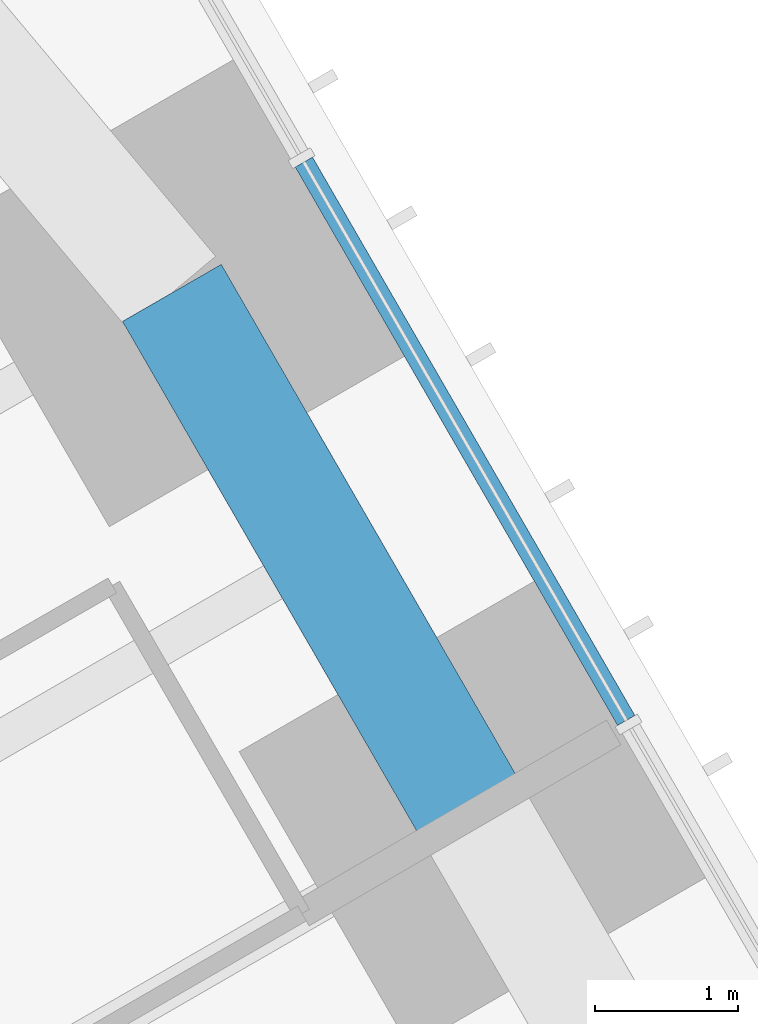
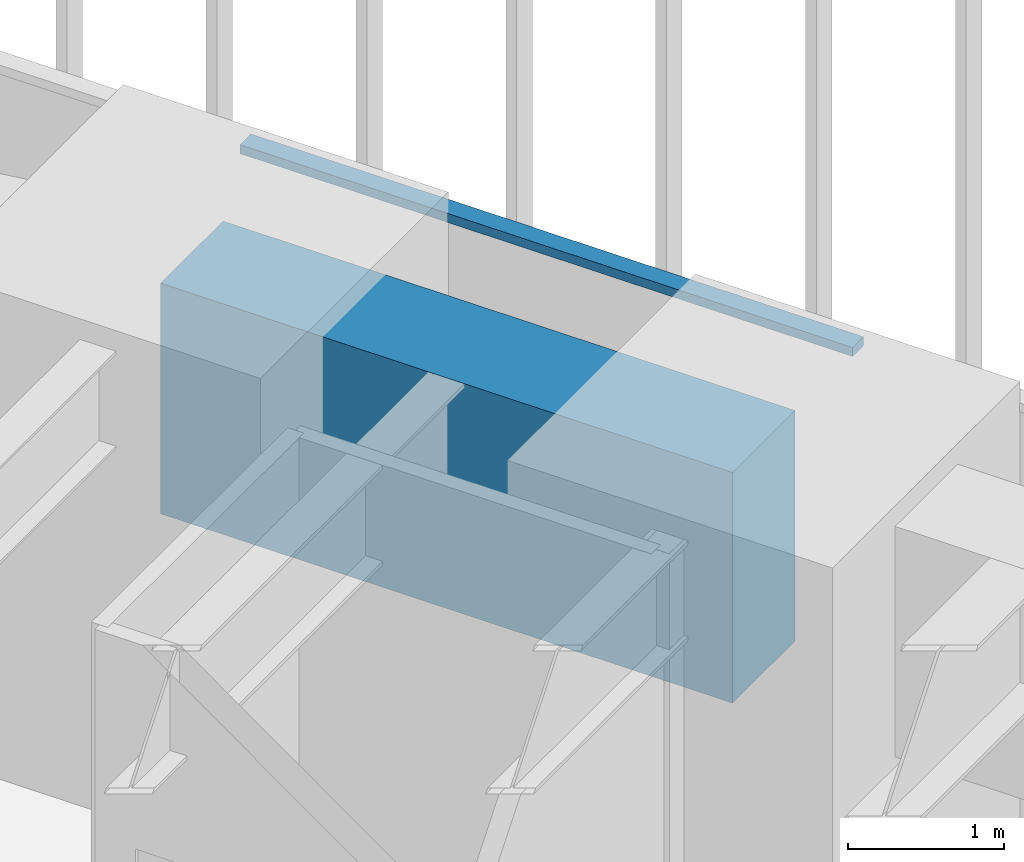
# One storey, part 200 of 256: 1 beam, 1 member, 1 element without a shape of its own.
"""IFC4 building model written with IfcOpenShell, lengths in metres."""

from ifc_helpers import new_model, si_unit, direction, frame, origin, origin_2d, place, context, subcontext, project, spatial, rectangle, extrude, material, material_profile, profile_set, type_object, element, aggregate, save


model = new_model("IFC4")

# Units and contexts
model_context = context("Model", 3, precision=1e-05, world=origin(), true_north=direction((0.0, 1.0)))
body_context = subcontext(model_context, "Body", "Model", "MODEL_VIEW")
ifc_project = project(units=[si_unit("LENGTHUNIT", "METRE"), si_unit("AREAUNIT", "SQUARE_METRE"), si_unit("VOLUMEUNIT", "CUBIC_METRE"), si_unit("PLANEANGLEUNIT", "RADIAN"), si_unit("MASSUNIT", "GRAM", prefix="KILO")], contexts=[model_context])

# Site, building, storey
site_placement = place(None, origin())
site = spatial("IfcSite", under=ifc_project, at=site_placement, CompositionType="ELEMENT")
building_placement = place(site_placement, origin())
building = spatial("IfcBuilding", under=site, at=building_placement, Name="Sandreach Pilgrim Tower", CompositionType="ELEMENT")
storey_placement = place(building_placement, frame((0.0, 0.0, 23.0)))
storey = spatial("IfcBuildingStorey", under=building, at=storey_placement, Name="L04", CompositionType="ELEMENT", Elevation=23.0)

# Curtain wall, member
ifc_material_1 = material(Name="Aluminium framed curtain wall", Category="aluminium")
curtain_wall_type = type_object("IfcCurtainWallType", Name="Hostel tower curtain wall", PredefinedType="NOTDEFINED", material=ifc_material_1)
curtain_wall_placement = place(storey_placement, origin())
curtain_wall = element("IfcCurtainWall", 1, at=curtain_wall_placement, inside=storey, type_object=curtain_wall_type, Name="CW-1 L04 NE", PredefinedType="NOTDEFINED")
ifc_material_2 = material(Name="Aluminium extrusion", Category="aluminium")
ifc_material_profile_1 = material_profile(ifc_material_2, rectangle(XDim=0.139892578125, YDim=0.070068359375, at=origin_2d()), Name="CW-1T 140X70")
ifc_profile_set_1 = profile_set([ifc_material_profile_1], Name="Aluminium extrusion")
member_type = type_object("IfcMemberType", Name="CW-1 transom", PredefinedType="USERDEFINED", material=ifc_profile_set_1)
member_placement = place(storey_placement, frame((23.71337890625, 18.948974609375, 3.60498046875), z_axis=(0.500001366228, -0.866024614991, 0.0), x_axis=(0.866024614991, 0.500001366228, 0.0)))
member = element("IfcMember", 2, at=member_placement, type_object=member_type, Name="CW-1 head transom 2", ObjectType="TRANSOM", PredefinedType="USERDEFINED", context=body_context, shape_type="SweptSolid", body=[
    extrude(rectangle(XDim=0.139892578125, YDim=0.070068359375, at=origin_2d()), origin(), (0.0, 0.0, 1.0), 4.52099609375),
])
aggregate(curtain_wall, [member])

# Beam
ifc_material_3 = material(Name="Concrete 10000 psi", Category="concrete")
ifc_material_profile_2 = material_profile(ifc_material_3, rectangle(XDim=0.800048828125, YDim=1.800048828125, at=origin_2d()), Name="RC800X1800")
ifc_profile_set_2 = profile_set([ifc_material_profile_2], Name="Concrete 10000 psi")
beam_type = type_object("IfcBeamType", Name="Spandrel beam RC800X1800", PredefinedType="SPANDREL", material=ifc_profile_set_2)
beam_placement = place(storey_placement, frame((22.787841796875, 18.031982421875, 2.739990234375), z_axis=(0.500001084989, -0.866024777365, 0.0), x_axis=(0.866024777365, 0.500001084989, 0.0)))
element("IfcBeam", 3, at=beam_placement, inside=storey, type_object=beam_type, Name="BM L04 SP10", PredefinedType="SPANDREL", context=body_context, shape_type="SweptSolid", body=[
    extrude(rectangle(XDim=0.800048828125, YDim=1.800048828125, at=origin_2d()), origin(), (0.0, 0.0, 1.0), 4.22216796875),
])

save(model, "model.ifc")
